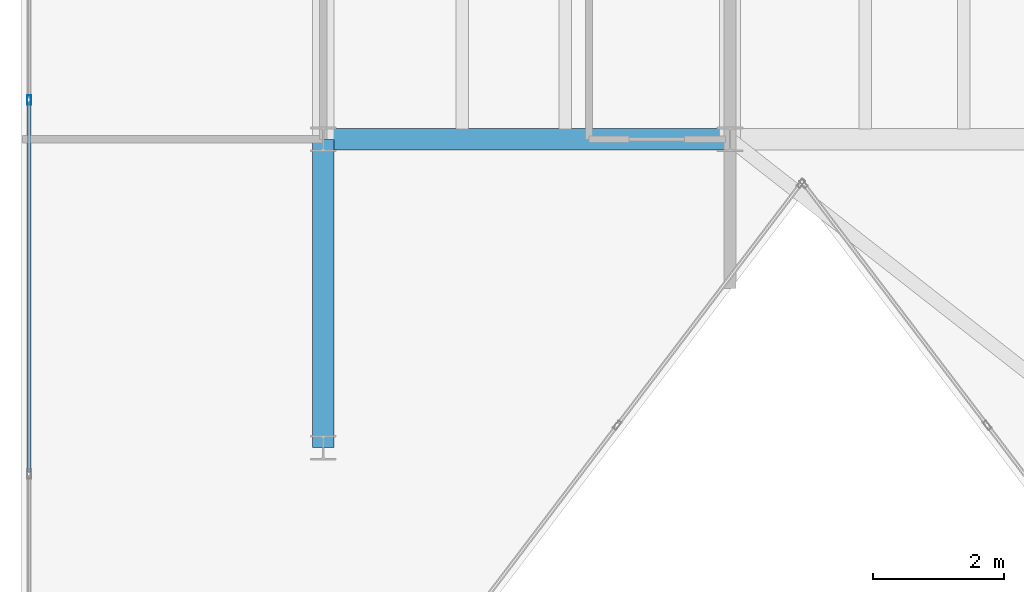
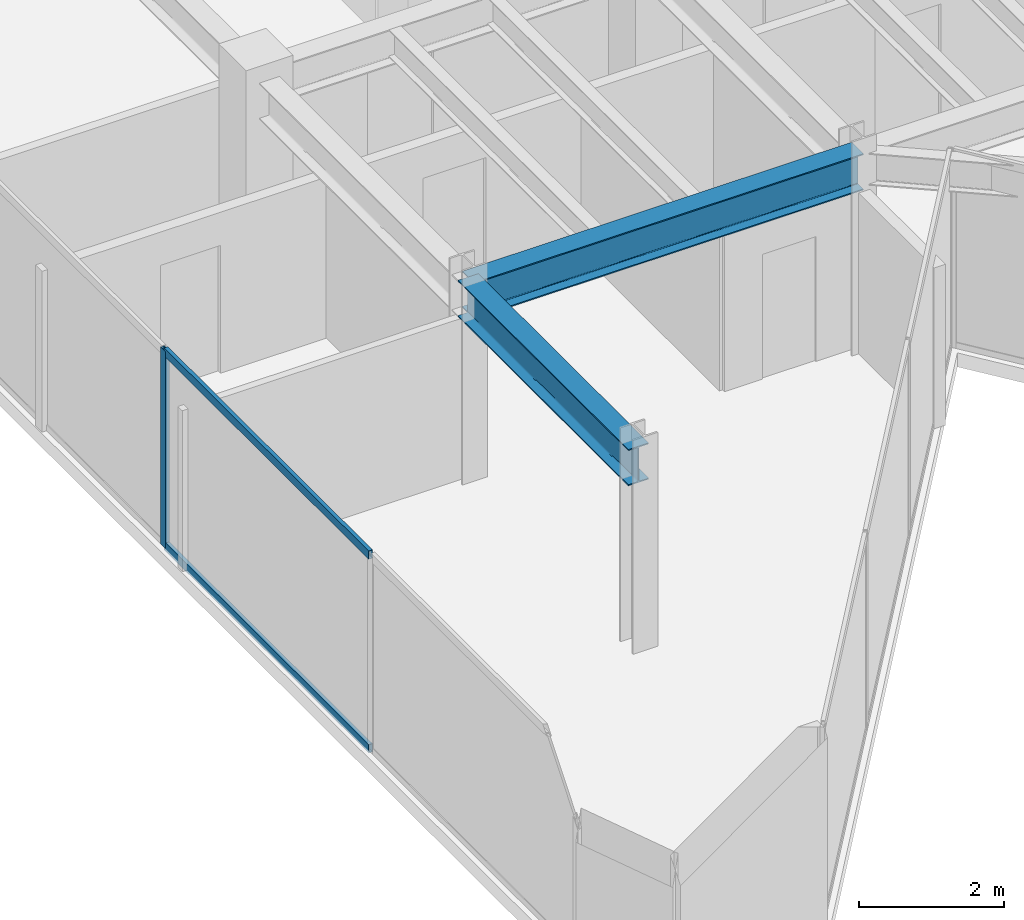
# One storey, part 4 of 16: 3 members, 2 beams, 1 element without a shape of its own.
"""IFC4 building model written with IfcOpenShell, lengths in metres."""

from ifc_helpers import new_model, si_unit, direction, frame, origin, origin_2d, place, context, subcontext, project, spatial, hollow_rectangle, i_section, extrude, material, layer, layer_set, material_profile, profile_set, type_object, element, aggregate, save


model = new_model("IFC4")

# Units and contexts
model_context = context("Model", 3, precision=1e-05, world=origin(), true_north=direction((0.0, 1.0)))
body_context = subcontext(model_context, "Body", "Model", "MODEL_VIEW")
ifc_project = project(units=[si_unit("LENGTHUNIT", "METRE"), si_unit("AREAUNIT", "SQUARE_METRE"), si_unit("VOLUMEUNIT", "CUBIC_METRE"), si_unit("PLANEANGLEUNIT", "RADIAN"), si_unit("MASSUNIT", "GRAM", prefix="KILO")], contexts=[model_context])

# Site, building, storey
site_placement = place(None, origin())
site = spatial("IfcSite", under=ifc_project, at=site_placement, CompositionType="ELEMENT")
building_placement = place(site_placement, origin())
building = spatial("IfcBuilding", under=site, at=building_placement, Name="Kravanh Interchange Tower", CompositionType="ELEMENT")
storey_placement = place(building_placement, frame((0.0, 0.0, 307.5)))
storey = spatial("IfcBuildingStorey", under=building, at=storey_placement, Name="L76", CompositionType="ELEMENT", Elevation=307.5)

# Curtain wall, members
ifc_material_1 = material(Name="Anodised Bronze Aluminium", Category="aluminium")
ifc_layer = layer(ifc_material_1, 0.179931640625)
ifc_layer_set = layer_set([ifc_layer], Name="Unitised Curtain Wall System CW-HTL Luxury Hotel")
curtain_wall_type = type_object("IfcCurtainWallType", Name="Unitised Curtain Wall System CW-HTL Luxury Hotel", PredefinedType="NOTDEFINED", material=ifc_layer_set)
curtain_wall_placement = place(storey_placement, origin())
curtain_wall = element("IfcCurtainWall", 1, at=curtain_wall_placement, inside=storey, type_object=curtain_wall_type, Name="L76 Unitised Curtain Wall CW-L76-01", PredefinedType="NOTDEFINED")
ifc_material_2 = material(Name="Anodised Bronze Aluminium", Category="aluminium")
ifc_material_profile_1 = material_profile(ifc_material_2, hollow_rectangle(XDim=0.06005859375, YDim=0.139892578125, WallThickness=0.00390625, at=origin_2d()), Name="ALU60X140X4")
ifc_profile_set_1 = profile_set([ifc_material_profile_1], Name="Anodised Bronze Aluminium")
member_type_1 = type_object("IfcMemberType", Name="Curtain Wall Mullion ALU60X140X4 Bronze", PredefinedType="MULLION", material=ifc_profile_set_1)
member_1_placement = place(storey_placement, frame((34.1201171875, 32.099853515625, 0.0), z_axis=(0.0, 0.0, 1.0), x_axis=(-1.0, 0.0, 0.0)))
member_1 = element("IfcMember", 2, at=member_1_placement, type_object=member_type_1, Name="CW-HTL mullion 3", PredefinedType="MULLION", context=body_context, shape_type="SweptSolid", body=[
    extrude(hollow_rectangle(XDim=0.06005859375, YDim=0.139892578125, WallThickness=0.00390625, at=origin_2d()), origin(), (0.0, 0.0, 1.0), 3.320068359375),
])
ifc_material_3 = material(Name="Anodised Bronze Aluminium", Category="aluminium")
ifc_material_profile_2 = material_profile(ifc_material_3, hollow_rectangle(XDim=0.06005859375, YDim=0.139892578125, WallThickness=0.00390625, at=origin_2d()), Name="ALU60X140X4")
ifc_profile_set_2 = profile_set([ifc_material_profile_2], Name="Anodised Bronze Aluminium")
member_type_2 = type_object("IfcMemberType", Name="Curtain Wall Transom ALU60X140X4 Bronze", PredefinedType="USERDEFINED", material=ifc_profile_set_2)
member_2_placement = place(storey_placement, frame((34.1201171875, 26.4296875, 0.030029296875), z_axis=(0.0, 1.0, 0.0), x_axis=(-1.0, 0.0, 0.0)))
member_2 = element("IfcMember", 3, at=member_2_placement, type_object=member_type_2, Name="CW-HTL transom 2.1", ObjectType="TRANSOM", PredefinedType="USERDEFINED", context=body_context, shape_type="SweptSolid", body=[
    extrude(hollow_rectangle(XDim=0.06005859375, YDim=0.139892578125, WallThickness=0.00390625, at=origin_2d()), origin(), (0.0, 0.0, 1.0), 5.64013671875),
])
member_3_placement = place(storey_placement, frame((34.1201171875, 26.4296875, 3.2900390625), z_axis=(0.0, 1.0, 0.0), x_axis=(-1.0, 0.0, 0.0)))
member_3 = element("IfcMember", 4, at=member_3_placement, type_object=member_type_2, Name="CW-HTL transom 2.2", ObjectType="TRANSOM", PredefinedType="USERDEFINED", context=body_context, shape_type="SweptSolid", body=[
    extrude(hollow_rectangle(XDim=0.06005859375, YDim=0.139892578125, WallThickness=0.00390625, at=origin_2d()), origin(), (0.0, 0.0, 1.0), 5.64013671875),
])
aggregate(curtain_wall, [member_1, member_2, member_3])

# Beams
ifc_material_4 = material(Name="Structural Steel S355", Category="steel")
ifc_material_profile_3 = material_profile(ifc_material_4, i_section(OverallWidth=0.323974609375, OverallDepth=0.611083984375, WebThickness=0.0126953125, FlangeThickness=0.01904296875, FilletRadius=0.02197265625, at=origin_2d()), Name="W24X104")
ifc_profile_set_3 = profile_set([ifc_material_profile_3], Name="Structural Steel S355")
beam_type = type_object("IfcBeamType", Name="Floor Beam W24X104 Structural Steel S355", PredefinedType="BEAM", material=ifc_profile_set_3)
beam_1_placement = place(storey_placement, frame((44.800048828125, 31.5, 3.014404296875), z_axis=(-1.0, 0.0, 0.0), x_axis=(0.0, -1.0, 0.0)))
element("IfcBeam", 5, at=beam_1_placement, inside=storey, type_object=beam_type, Name="L76 Primary Floor Girder 3", PredefinedType="BEAM", context=body_context, shape_type="SweptSolid", body=[
    extrude(i_section(OverallWidth=0.323974609375, OverallDepth=0.611083984375, WebThickness=0.0126953125, FlangeThickness=0.01904296875, FilletRadius=0.02197265625, at=origin_2d()), origin(), (0.0, 0.0, 1.0), 6.199951171875),
])
beam_2_placement = place(storey_placement, frame((38.60009765625, 31.5, 3.014404296875), z_axis=(0.0, -1.0, 0.0), x_axis=(1.0, 0.0, 0.0)))
element("IfcBeam", 6, at=beam_2_placement, inside=storey, type_object=beam_type, Name="L76 Primary Floor Girder 17", PredefinedType="BEAM", context=body_context, shape_type="SweptSolid", body=[
    extrude(i_section(OverallWidth=0.323974609375, OverallDepth=0.611083984375, WebThickness=0.0126953125, FlangeThickness=0.01904296875, FilletRadius=0.02197265625, at=origin_2d()), origin(), (0.0, 0.0, 1.0), 4.699951171875),
])

save(model, "model.ifc")
